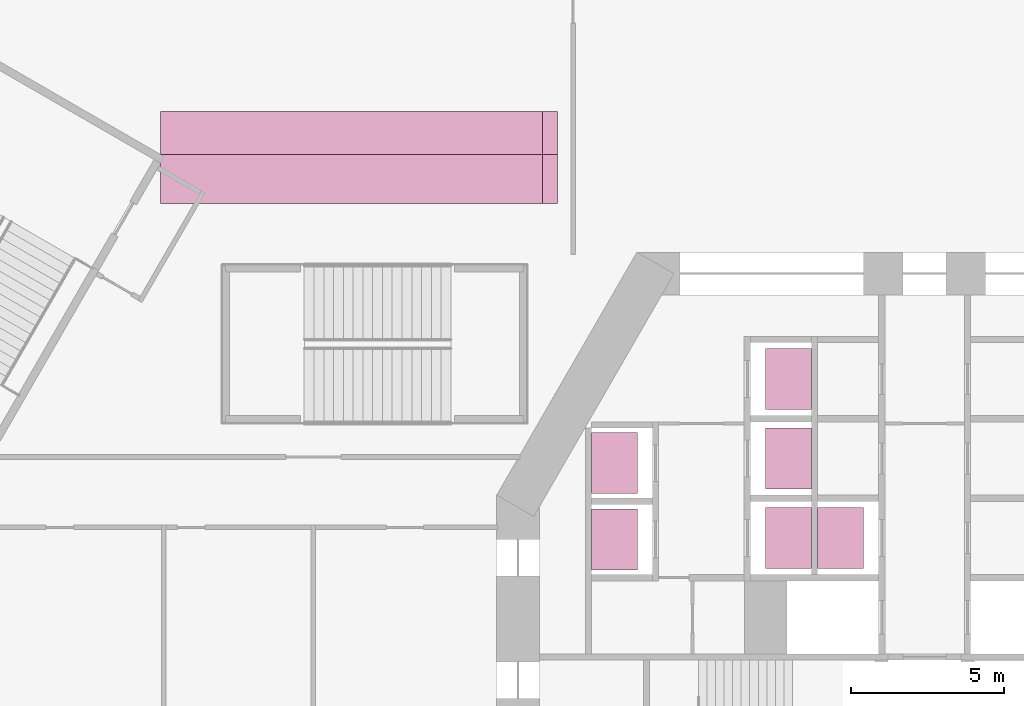
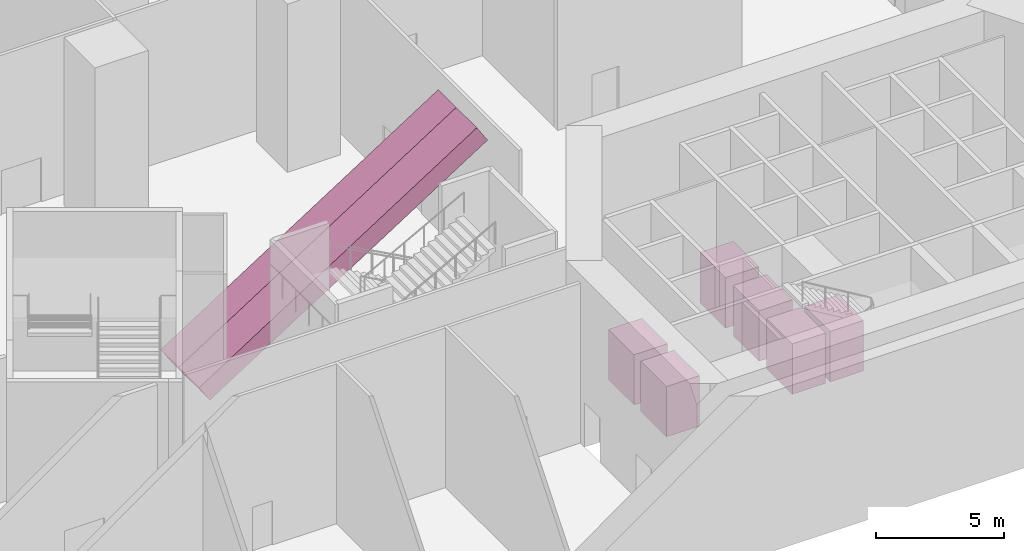
# One storey, part 11 of 11: 8 transport elements.
"""IFC4 building model written with IfcOpenShell, lengths in metres."""

from ifc_helpers import new_model, si_unit, direction, frame, origin, origin_2d, place, context, subcontext, project, spatial, polyline, rectangle, outline, extrude, material, type_object, element, save


model = new_model("IFC4")

# Units and contexts
model_context = context("Model", 3, precision=1e-05, world=origin(), true_north=direction((0.0, 1.0)))
body_context = subcontext(model_context, "Body", "Model", "MODEL_VIEW")
ifc_project = project(units=[si_unit("LENGTHUNIT", "METRE"), si_unit("AREAUNIT", "SQUARE_METRE"), si_unit("VOLUMEUNIT", "CUBIC_METRE"), si_unit("PLANEANGLEUNIT", "RADIAN"), si_unit("MASSUNIT", "GRAM", prefix="KILO")], contexts=[model_context])

# Site, building, storey
site_placement = place(None, origin())
site = spatial("IfcSite", under=ifc_project, at=site_placement, CompositionType="ELEMENT")
building_placement = place(site_placement, origin())
building = spatial("IfcBuilding", under=site, at=building_placement, Name="Fogline Exchange Tower", CompositionType="ELEMENT")
storey_placement = place(building_placement, frame((0.0, 0.0, -8.0)))
storey = spatial("IfcBuildingStorey", under=building, at=storey_placement, Name="B1", CompositionType="ELEMENT", Elevation=-8.0)

# Transport elements
ifc_material_1 = material(Name="Steel and glass car", Category="steel")
transport_element_type_1 = type_object("IfcTransportElementType", Name="EL-CAR", PredefinedType="ELEVATOR", material=ifc_material_1)
for number, where, z_axis, x_axis, name in (
    (1, (-10.14990234375, 9.60009765625, 0.0), (0.0, 0.0, 1.0), (1.0, 0.0, 0.0), "Lift LR1"),
    (2, (-10.14990234375, 12.10009765625, 0.0), (0.0, 0.0, 1.0), (1.0, 0.0, 0.0), "Lift LR2"),
    (3, (-4.449951171875, 9.64990234375, 0.0), (0.0, 0.0, 1.0), (1.0, 0.0, 0.0), "Lift LR3"),
    (4, (-4.449951171875, 12.25, 0.0), (0.0, 0.0, 1.0), (1.0, 0.0, 0.0), "Lift LR4"),
    (5, (-4.449951171875, 14.85009765625, 0.0), (0.0, 0.0, 1.0), (1.0, 0.0, 0.0), "Lift LR5"),
    (6, (-2.75, 9.64990234375, 0.0), (0.0, 0.0, 1.0), (1.0, 0.0, 0.0), "Lift LR6"),
):
    element("IfcTransportElement", number, at=place(storey_placement, frame(where, z_axis=z_axis, x_axis=x_axis)), inside=storey, type_object=transport_element_type_1, Name=name, PredefinedType="ELEVATOR", context=body_context, shape_type="SweptSolid", body=[
        extrude(rectangle(XDim=1.5, YDim=2.0, at=origin_2d()), origin(), (0.0, 0.0, 1.0), 2.39990234375),
    ])
ifc_material_2 = material(Name="Steel Q235B", Category="steel")
transport_element_type_2 = type_object("IfcTransportElementType", Name="PE1", PredefinedType="ESCALATOR", material=ifc_material_2)
transport_element_1_placement = place(storey_placement, frame((-25.0, 20.60009765625, 0.0), z_axis=(-0.539053696423, 0.0, 0.842271400662), x_axis=(0.0, 1.0, 0.0)))
element("IfcTransportElement", 7, at=transport_element_1_placement, inside=storey, type_object=transport_element_type_2, Name="Escalator up", PredefinedType="ESCALATOR", context=body_context, shape_type="SweptSolid", body=[
    extrude(outline(polyline([(0.0, 0.0), (1.599853515625, 0.0), (1.599853515625, -14.84082207965583), (0.0, -14.84082207965583), (0.0, 0.0)])), origin(), (0.0, 0.0, -1.0), 0.89990234375),
])
transport_element_2_placement = place(storey_placement, frame((-25.0, 22.199951171875, 0.0), z_axis=(-0.539053696423, 0.0, 0.842271400662), x_axis=(0.0, 1.0, 0.0)))
element("IfcTransportElement", 8, at=transport_element_2_placement, inside=storey, type_object=transport_element_type_2, Name="Escalator down", PredefinedType="ESCALATOR", context=body_context, shape_type="SweptSolid", body=[
    extrude(outline(polyline([(0.0, 0.0), (1.400146484375, 0.0), (1.400146484375, -14.84082207965583), (0.0, -14.84082207965583), (0.0, 0.0)])), origin(), (0.0, 0.0, -1.0), 0.89990234375),
])

save(model, "model.ifc")
